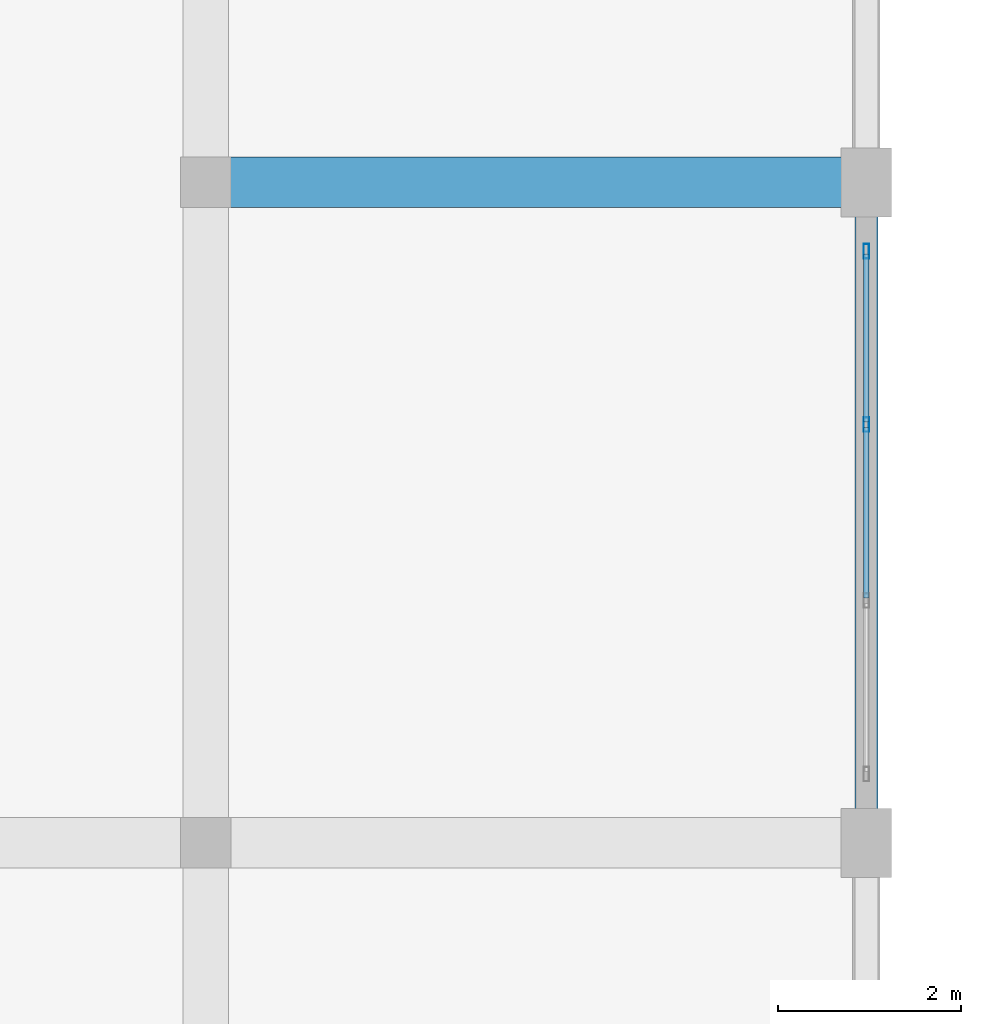
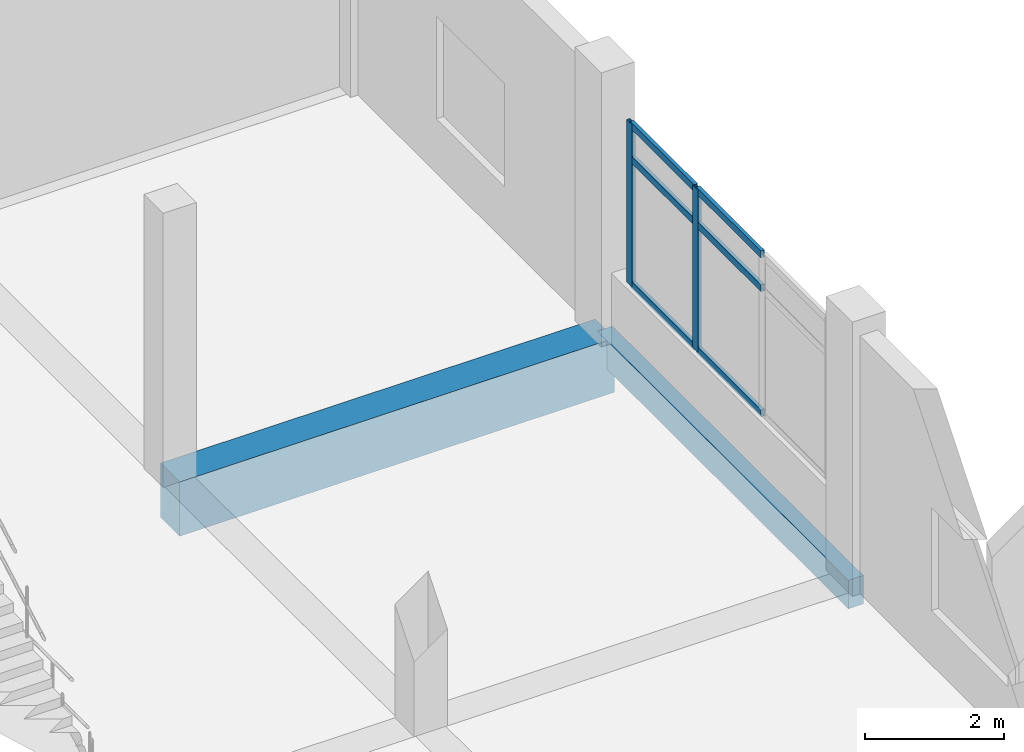
# One storey, part 111 of 181: 8 members, 2 beams, 1 element without a shape of its own.
"""IFC4 building model written with IfcOpenShell, lengths in metres."""

from ifc_helpers import new_model, si_unit, direction, frame, origin, origin_2d, place, context, subcontext, project, spatial, rectangle, hollow_rectangle, extrude, material, layer, layer_set, material_profile, profile_set, type_object, element, aggregate, save


model = new_model("IFC4")

# Units and contexts
model_context = context("Model", 3, precision=1e-05, world=origin(), true_north=direction((0.0, 1.0)))
body_context = subcontext(model_context, "Body", "Model", "MODEL_VIEW")
ifc_project = project(units=[si_unit("LENGTHUNIT", "METRE"), si_unit("AREAUNIT", "SQUARE_METRE"), si_unit("VOLUMEUNIT", "CUBIC_METRE"), si_unit("PLANEANGLEUNIT", "RADIAN"), si_unit("MASSUNIT", "GRAM", prefix="KILO")], contexts=[model_context])

# Site, building, storey
site_placement = place(None, origin())
site = spatial("IfcSite", under=ifc_project, at=site_placement, CompositionType="ELEMENT")
building_placement = place(site_placement, origin())
building = spatial("IfcBuilding", under=site, at=building_placement, Name="Seraya Terrace Polytechnic", CompositionType="ELEMENT")
storey_placement = place(building_placement, frame((0.0, 0.0, 4.800048828125)))
storey = spatial("IfcBuildingStorey", under=building, at=storey_placement, Name="L01", CompositionType="ELEMENT", Elevation=4.800048828125)

# Beam
ifc_material_1 = material(Name="Concrete C40/50", Category="concrete")
ifc_material_profile_1 = material_profile(ifc_material_1, rectangle(XDim=0.550048828125, YDim=0.949951171875, at=origin_2d()), Name="RC 550x950")
ifc_profile_set_1 = profile_set([ifc_material_profile_1], Name="Concrete C40/50")
beam_type_1 = type_object("IfcBeamType", Name="BM-03", PredefinedType="BEAM", material=ifc_profile_set_1)
beam_1_placement = place(storey_placement, frame((158.39990234375, 14.39990234375, -0.47509765625), z_axis=(1.0, 0.0, 0.0), x_axis=(0.0, 1.0, 0.0)))
element("IfcBeam", 1, at=beam_1_placement, inside=storey, type_object=beam_type_1, Name="Beam BM-03 L01 X (158.4..165.6, 14.4)", PredefinedType="BEAM", context=body_context, shape_type="SweptSolid", body=[
    extrude(rectangle(XDim=0.550048828125, YDim=0.949951171875, at=origin_2d()), origin(), (0.0, 0.0, 1.0), 7.2001953125),
])

# Curtain wall, members
ifc_material_2 = material(Name="Anodised aluminium EN AW-6063 T6", Category="aluminium")
ifc_layer = layer(ifc_material_2, 0.179931640625, Name="CW-26")
ifc_layer_set = layer_set([ifc_layer], Name="Anodised aluminium EN AW-6063 T6")
curtain_wall_type = type_object("IfcCurtainWallType", Name="CW-26", PredefinedType="NOTDEFINED", material=ifc_layer_set)
curtain_wall_placement = place(storey_placement, origin())
curtain_wall = element("IfcCurtainWall", 2, at=curtain_wall_placement, inside=storey, type_object=curtain_wall_type, Name="Unitised curtain wall CW-26 (CW-L01-026)", PredefinedType="NOTDEFINED")
ifc_material_profile_2 = material_profile(ifc_material_2, hollow_rectangle(XDim=0.06005859375, YDim=0.159912109375, WallThickness=0.00341796875, at=origin_2d()), Name="RHS 160x60x3.5")
ifc_profile_set_2 = profile_set([ifc_material_profile_2], Name="Anodised aluminium EN AW-6063 T6")
member_type_1 = type_object("IfcMemberType", Name="CWM-02", PredefinedType="MULLION", material=ifc_profile_set_2)
member_1_placement = place(storey_placement, frame((165.60009765625, 13.64990234375, 1.239990234375), z_axis=(0.0, 0.0, 1.0), x_axis=(1.0, 0.0, 0.0)))
member_1 = element("IfcMember", 3, at=member_1_placement, type_object=member_type_1, Name="CW-26 mullion 1", PredefinedType="MULLION", context=body_context, shape_type="SweptSolid", body=[
    extrude(hollow_rectangle(XDim=0.06005859375, YDim=0.159912109375, WallThickness=0.00341796875, at=origin_2d()), origin(), (0.0, 0.0, 1.0), 2.83984375),
])
member_2_placement = place(storey_placement, frame((165.60009765625, 11.760009765625, 1.239990234375), z_axis=(0.0, 0.0, 1.0), x_axis=(1.0, 0.0, 0.0)))
member_2 = element("IfcMember", 4, at=member_2_placement, type_object=member_type_1, Name="CW-26 mullion 2", PredefinedType="MULLION", context=body_context, shape_type="SweptSolid", body=[
    extrude(hollow_rectangle(XDim=0.06005859375, YDim=0.159912109375, WallThickness=0.00341796875, at=origin_2d()), origin(), (0.0, 0.0, 1.0), 2.83984375),
])
ifc_material_profile_3 = material_profile(ifc_material_2, hollow_rectangle(XDim=0.06005859375, YDim=0.1201171875, WallThickness=0.003173828125, at=origin_2d()), Name="RHS 120x60x3.2")
ifc_profile_set_3 = profile_set([ifc_material_profile_3], Name="Anodised aluminium EN AW-6063 T6")
member_type_2 = type_object("IfcMemberType", Name="CWT-02", PredefinedType="USERDEFINED", material=ifc_profile_set_3)
member_3_placement = place(storey_placement, frame((165.60009765625, 13.6201171875, 1.27001953125), z_axis=(0.0, -1.0, 0.0), x_axis=(1.0, 0.0, 0.0)))
member_3 = element("IfcMember", 5, at=member_3_placement, type_object=member_type_2, Name="CW-26 transom 1.1", ObjectType="TRANSOM", PredefinedType="USERDEFINED", context=body_context, shape_type="SweptSolid", body=[
    extrude(hollow_rectangle(XDim=0.06005859375, YDim=0.1201171875, WallThickness=0.003173828125, at=origin_2d()), origin(), (0.0, 0.0, 1.0), 1.830078125),
])
member_4_placement = place(storey_placement, frame((165.60009765625, 13.6201171875, 3.4599609375), z_axis=(0.0, -1.0, 0.0), x_axis=(1.0, 0.0, 0.0)))
member_4 = element("IfcMember", 6, at=member_4_placement, type_object=member_type_2, Name="CW-26 transom 1.2", ObjectType="TRANSOM", PredefinedType="USERDEFINED", context=body_context, shape_type="SweptSolid", body=[
    extrude(hollow_rectangle(XDim=0.06005859375, YDim=0.1201171875, WallThickness=0.003173828125, at=origin_2d()), origin(), (0.0, 0.0, 1.0), 1.830078125),
])
member_5_placement = place(storey_placement, frame((165.60009765625, 13.6201171875, 4.050048828125), z_axis=(0.0, -1.0, 0.0), x_axis=(1.0, 0.0, 0.0)))
member_5 = element("IfcMember", 7, at=member_5_placement, type_object=member_type_2, Name="CW-26 transom 1.3", ObjectType="TRANSOM", PredefinedType="USERDEFINED", context=body_context, shape_type="SweptSolid", body=[
    extrude(hollow_rectangle(XDim=0.06005859375, YDim=0.1201171875, WallThickness=0.003173828125, at=origin_2d()), origin(), (0.0, 0.0, 1.0), 1.830078125),
])
member_6_placement = place(storey_placement, frame((165.60009765625, 11.72998046875, 1.27001953125), z_axis=(0.0, -1.0, 0.0), x_axis=(1.0, 0.0, 0.0)))
member_6 = element("IfcMember", 8, at=member_6_placement, type_object=member_type_2, Name="CW-26 transom 2.1", ObjectType="TRANSOM", PredefinedType="USERDEFINED", context=body_context, shape_type="SweptSolid", body=[
    extrude(hollow_rectangle(XDim=0.06005859375, YDim=0.1201171875, WallThickness=0.003173828125, at=origin_2d()), origin(), (0.0, 0.0, 1.0), 1.85986328125),
])
member_7_placement = place(storey_placement, frame((165.60009765625, 11.72998046875, 3.4599609375), z_axis=(0.0, -1.0, 0.0), x_axis=(1.0, 0.0, 0.0)))
member_7 = element("IfcMember", 9, at=member_7_placement, type_object=member_type_2, Name="CW-26 transom 2.2", ObjectType="TRANSOM", PredefinedType="USERDEFINED", context=body_context, shape_type="SweptSolid", body=[
    extrude(hollow_rectangle(XDim=0.06005859375, YDim=0.1201171875, WallThickness=0.003173828125, at=origin_2d()), origin(), (0.0, 0.0, 1.0), 1.85986328125),
])
member_8_placement = place(storey_placement, frame((165.60009765625, 11.72998046875, 4.050048828125), z_axis=(0.0, -1.0, 0.0), x_axis=(1.0, 0.0, 0.0)))
member_8 = element("IfcMember", 10, at=member_8_placement, type_object=member_type_2, Name="CW-26 transom 2.3", ObjectType="TRANSOM", PredefinedType="USERDEFINED", context=body_context, shape_type="SweptSolid", body=[
    extrude(hollow_rectangle(XDim=0.06005859375, YDim=0.1201171875, WallThickness=0.003173828125, at=origin_2d()), origin(), (0.0, 0.0, 1.0), 1.85986328125),
])
aggregate(curtain_wall, [member_1, member_2, member_3, member_4, member_5, member_6, member_7, member_8])

# Beam
ifc_material_profile_4 = material_profile(ifc_material_1, rectangle(XDim=0.25, YDim=0.5, at=origin_2d()), Name="RC 250x500")
ifc_profile_set_4 = profile_set([ifc_material_profile_4], Name="Concrete C40/50")
beam_type_2 = type_object("IfcBeamType", Name="SP-03", PredefinedType="SPANDREL", material=ifc_profile_set_4)
beam_2_placement = place(storey_placement, frame((165.60009765625, 7.199951171875, -0.25), z_axis=(0.0, 1.0, 0.0), x_axis=(-1.0, 0.0, 0.0)))
element("IfcBeam", 11, at=beam_2_placement, inside=storey, type_object=beam_type_2, Name="Beam SP-03 L01 Y (165.6, 7.2..14.4)", PredefinedType="SPANDREL", context=body_context, shape_type="SweptSolid", body=[
    extrude(rectangle(XDim=0.25, YDim=0.5, at=origin_2d()), origin(), (0.0, 0.0, 1.0), 7.199951171875),
])

save(model, "model.ifc")
